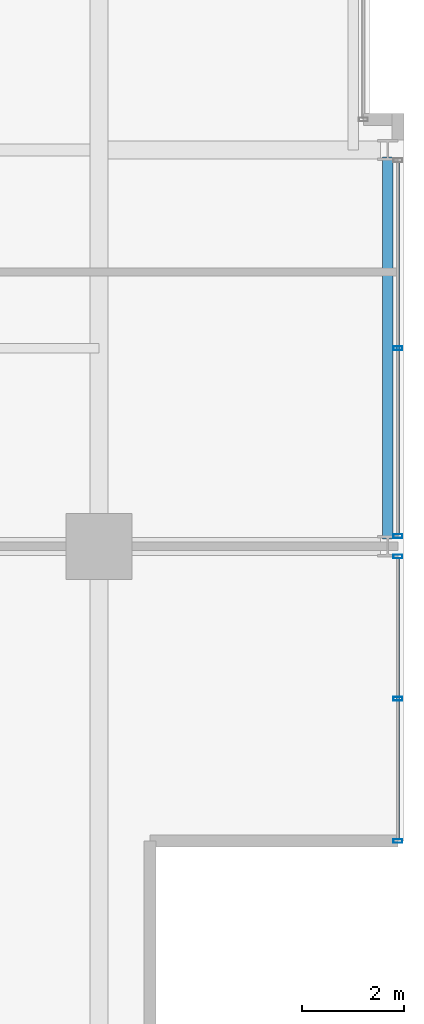
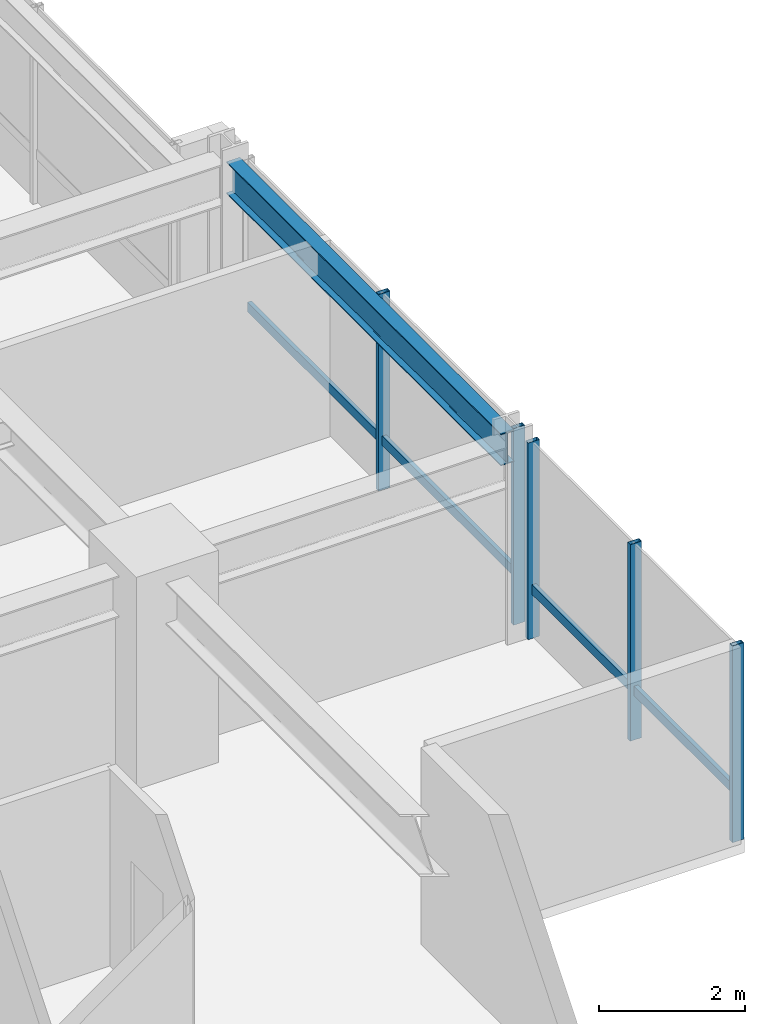
# One storey, part 13 of 34: 7 members, 1 beam, 2 elements without a shape of their own.
"""IFC4 building model written with IfcOpenShell, lengths in metres."""

from ifc_helpers import new_model, si_unit, direction, frame, origin, origin_2d, place, context, subcontext, project, spatial, hollow_rectangle, i_section, extrude, material, layer, layer_set, material_profile, profile_set, type_object, element, aggregate, save


model = new_model("IFC4")

# Units and contexts
model_context = context("Model", 3, precision=1e-05, world=origin(), true_north=direction((0.0, 1.0)))
body_context = subcontext(model_context, "Body", "Model", "MODEL_VIEW")
ifc_project = project(units=[si_unit("LENGTHUNIT", "METRE"), si_unit("AREAUNIT", "SQUARE_METRE"), si_unit("VOLUMEUNIT", "CUBIC_METRE"), si_unit("PLANEANGLEUNIT", "RADIAN"), si_unit("MASSUNIT", "GRAM", prefix="KILO")], contexts=[model_context])

# Site, building, storey
site_placement = place(None, origin())
site = spatial("IfcSite", under=ifc_project, at=site_placement, CompositionType="ELEMENT")
building_placement = place(site_placement, origin())
building = spatial("IfcBuilding", under=site, at=building_placement, Name="Drelvath Grand Hotel", CompositionType="ELEMENT")
storey_placement = place(building_placement, frame((0.0, 0.0, 175.25)))
storey = spatial("IfcBuildingStorey", under=building, at=storey_placement, Name="L45", CompositionType="ELEMENT", Elevation=175.25)

# Curtain wall, member
ifc_material_1 = material(Name="Brushed Pale-Silver Anodised Aluminium Frame", Category="aluminium")
ifc_layer = layer(ifc_material_1, 0.199951171875)
ifc_layer_set = layer_set([ifc_layer], Name="Brushed Pale-Silver Anodised Aluminium Frame")
curtain_wall_type = type_object("IfcCurtainWallType", Name="Stick Curtain Wall CW-04 Brushed Silver Upper-Mid", PredefinedType="NOTDEFINED", material=ifc_layer_set)
curtain_wall_1_placement = place(storey_placement, origin())
curtain_wall_1 = element("IfcCurtainWall", 1, at=curtain_wall_1_placement, inside=storey, type_object=curtain_wall_type, Name="L45 CW-04 Curtain Wall CW04-L45-ES1", PredefinedType="NOTDEFINED")
ifc_material_profile_1 = material_profile(ifc_material_1, hollow_rectangle(XDim=0.06494140625, YDim=0.159912109375, WallThickness=0.00390625, at=origin_2d()), Name="HSS160X65X4")
ifc_profile_set_1 = profile_set([ifc_material_profile_1], Name="Brushed Pale-Silver Anodised Aluminium Frame")
member_type_1 = type_object("IfcMemberType", Name="Curtain Wall Horizontal Transom CW-04 HSS160X65X4", PredefinedType="USERDEFINED", material=ifc_profile_set_1)
member_1_placement = place(storey_placement, frame((22.080078125, 10.559814453125, 0.822509765625), z_axis=(0.0, -1.0, 0.0), x_axis=(1.0, 0.0, 0.0)))
member_1 = element("IfcMember", 2, at=member_1_placement, type_object=member_type_1, Name="CW04-L45-ES1 Sill Transom", ObjectType="TRANSOM", PredefinedType="USERDEFINED", context=body_context, shape_type="SweptSolid", body=[
    extrude(hollow_rectangle(XDim=0.06494140625, YDim=0.159912109375, WallThickness=0.00390625, at=origin_2d()), origin(), (0.0, 0.0, 1.0), 5.519775390625),
])

curtain_wall_2_placement = place(storey_placement, origin())
curtain_wall_2 = element("IfcCurtainWall", 3, at=curtain_wall_2_placement, inside=storey, type_object=curtain_wall_type, Name="L45 CW-04 Curtain Wall CW04-L45-ES2", PredefinedType="NOTDEFINED")
member_2_placement = place(storey_placement, frame((22.080078125, 18.360107421875, 0.822509765625), z_axis=(0.0, -1.0, 0.0), x_axis=(1.0, 0.0, 0.0)))
member_2 = element("IfcMember", 4, at=member_2_placement, type_object=member_type_1, Name="CW04-L45-ES2 Sill Transom", ObjectType="TRANSOM", PredefinedType="USERDEFINED", context=body_context, shape_type="SweptSolid", body=[
    extrude(hollow_rectangle(XDim=0.06494140625, YDim=0.159912109375, WallThickness=0.00390625, at=origin_2d()), origin(), (0.0, 0.0, 1.0), 7.320068359375),
])

# Member
ifc_material_profile_2 = material_profile(ifc_material_1, hollow_rectangle(XDim=0.074951171875, YDim=0.179931640625, WallThickness=0.0048828125, at=origin_2d()), Name="HSS180X75X5")
ifc_profile_set_2 = profile_set([ifc_material_profile_2], Name="Brushed Pale-Silver Anodised Aluminium Frame")
member_type_2 = type_object("IfcMemberType", Name="Curtain Wall Vertical Mullion CW-04 HSS180X75X5", PredefinedType="MULLION", material=ifc_profile_set_2)
member_3_placement = place(storey_placement, frame((22.080078125, 10.599853515625, 0.0), z_axis=(0.0, 0.0, 1.0), x_axis=(0.0, 1.0, 0.0)))
member_3 = element("IfcMember", 5, at=member_3_placement, type_object=member_type_2, Name="CW04-L45-ES1 Mullion 1", PredefinedType="MULLION", context=body_context, shape_type="SweptSolid", body=[
    extrude(hollow_rectangle(XDim=0.074951171875, YDim=0.179931640625, WallThickness=0.0048828125, at=origin_2d()), origin(), (0.0, 0.0, 1.0), 3.2900390625),
])

member_4_placement = place(storey_placement, frame((22.080078125, 7.7998046875, 0.0), z_axis=(0.0, 0.0, 1.0), x_axis=(0.0, 1.0, 0.0)))
member_4 = element("IfcMember", 6, at=member_4_placement, type_object=member_type_2, Name="CW04-L45-ES1 Mullion 2", PredefinedType="MULLION", context=body_context, shape_type="SweptSolid", body=[
    extrude(hollow_rectangle(XDim=0.074951171875, YDim=0.179931640625, WallThickness=0.0048828125, at=origin_2d()), origin(), (0.0, 0.0, 1.0), 3.2900390625),
])

member_5_placement = place(storey_placement, frame((22.080078125, 5.0, 0.0), z_axis=(0.0, 0.0, 1.0), x_axis=(0.0, 1.0, 0.0)))
member_5 = element("IfcMember", 7, at=member_5_placement, type_object=member_type_2, Name="CW04-L45-ES1 Mullion 3", PredefinedType="MULLION", context=body_context, shape_type="SweptSolid", body=[
    extrude(hollow_rectangle(XDim=0.074951171875, YDim=0.179931640625, WallThickness=0.0048828125, at=origin_2d()), origin(), (0.0, 0.0, 1.0), 3.2900390625),
])

aggregate(curtain_wall_1, [member_3, member_4, member_5, member_1])

member_6_placement = place(storey_placement, frame((22.080078125, 14.699951171875, 0.0), z_axis=(0.0, 0.0, 1.0), x_axis=(0.0, 1.0, 0.0)))
member_6 = element("IfcMember", 8, at=member_6_placement, type_object=member_type_2, Name="CW04-L45-ES2 Mullion 2", PredefinedType="MULLION", context=body_context, shape_type="SweptSolid", body=[
    extrude(hollow_rectangle(XDim=0.074951171875, YDim=0.179931640625, WallThickness=0.0048828125, at=origin_2d()), origin(), (0.0, 0.0, 1.0), 3.2900390625),
])

member_7_placement = place(storey_placement, frame((22.080078125, 11.0, 0.0), z_axis=(0.0, 0.0, 1.0), x_axis=(0.0, 1.0, 0.0)))
member_7 = element("IfcMember", 9, at=member_7_placement, type_object=member_type_2, Name="CW04-L45-ES2 Mullion 3", PredefinedType="MULLION", context=body_context, shape_type="SweptSolid", body=[
    extrude(hollow_rectangle(XDim=0.074951171875, YDim=0.179931640625, WallThickness=0.0048828125, at=origin_2d()), origin(), (0.0, 0.0, 1.0), 3.2900390625),
])

aggregate(curtain_wall_2, [member_6, member_7, member_2])

# Beam
ifc_material_2 = material(Name="Steel ASTM A992 Gr 50", Category="steel")
ifc_material_profile_3 = material_profile(ifc_material_2, i_section(OverallWidth=0.210205078125, OverallDepth=0.53662109375, WebThickness=0.010986328125, FlangeThickness=0.017333984375, FilletRadius=0.01806640625, at=origin_2d()), Name="W21X68")
ifc_profile_set_3 = profile_set([ifc_material_profile_3], Name="Steel ASTM A992 Gr 50")
beam_type = type_object("IfcBeamType", Name="Perimeter Spandrel Beam W21X68", PredefinedType="SPANDREL", material=ifc_profile_set_3)
beam_placement = place(storey_placement, frame((21.8798828125, 10.93994140625, 3.021484375), z_axis=(0.0, 1.0, 0.0), x_axis=(-1.0, 0.0, 0.0)))
element("IfcBeam", 10, at=beam_placement, inside=storey, type_object=beam_type, Name="L45 Spandrel East S", PredefinedType="SPANDREL", context=body_context, shape_type="SweptSolid", body=[
    extrude(i_section(OverallWidth=0.210205078125, OverallDepth=0.53662109375, WebThickness=0.010986328125, FlangeThickness=0.017333984375, FilletRadius=0.01806640625, at=origin_2d()), origin(), (0.0, 0.0, 1.0), 7.52001953125),
])

save(model, "model.ifc")
